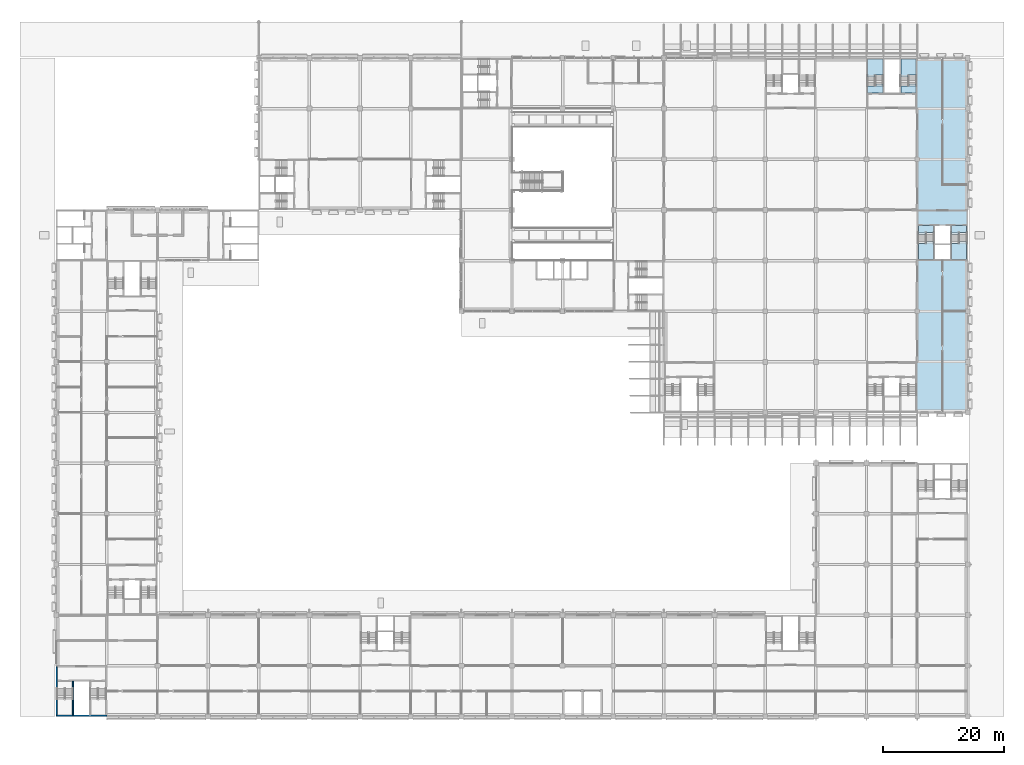
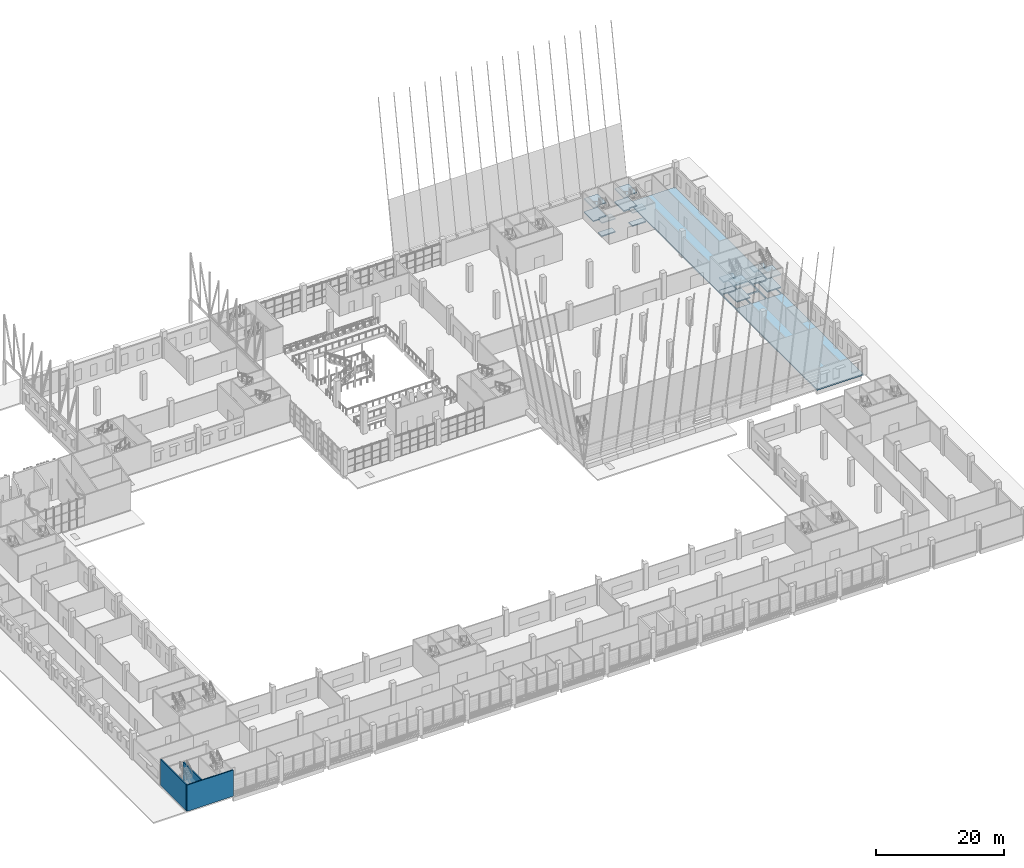
# One storey, part 27 of 101: 17 slabs, 3 walls, 4 elements without a shape of their own.
"""IFC4 building model written with IfcOpenShell, lengths in metres."""

import ifcopenshell
import ifcopenshell.guid

model = None  # the IFC model being written
_history = None  # IfcOwnerHistory: only IFC2X3 demands one
_inside = {}  # id of a spatial element -> (the spatial element, [elements in it])
_under = {}  # id of a project, library or spatial element -> (it, [spatial elements below it])
_declared = {}  # id of a project -> (the project, [libraries it declares])
_typed = {}  # id of a type object -> (the type object, [elements of that type])
_made_of = {}  # id of a material, layer set ... -> (it, [elements and type objects made of it])


def new_model(schema):
    """Start an empty IFC model of exactly this schema.

    Asked for "IFC4X3", IfcOpenShell would pick the latest addendum, in which some entities
    have other attributes; the version numbers below select the first issue.
    IFC2X3 requires an IfcOwnerHistory on every rooted entity: one is made here for all.
    """
    global model, _history
    if schema == "IFC4X3":
        model = ifcopenshell.file(schema_version=(4, 3, 0, 0))
    else:
        model = ifcopenshell.file(schema=schema)
    _inside.clear()
    _under.clear()
    _declared.clear()
    _typed.clear()
    _made_of.clear()
    _history = None
    if model.schema == "IFC2X3":
        org = make("IfcOrganization", Name="unknown")
        user = make(
            "IfcPersonAndOrganization",
            ThePerson=make("IfcPerson", FamilyName="unknown"),
            TheOrganization=org,
        )
        app = make(
            "IfcApplication",
            ApplicationDeveloper=org,
            Version="unknown",
            ApplicationFullName="unknown",
            ApplicationIdentifier="unknown",
        )
        _history = make(
            "IfcOwnerHistory",
            OwningUser=user,
            OwningApplication=app,
            ChangeAction="ADDED",
            CreationDate=0,
        )
    return model


def make(cls, **values):
    """One entity of the class cls with the attributes given. An attribute that is None is left unset."""
    return model.create_entity(
        cls, **{name: value for name, value in values.items() if value is not None}
    )


def rooted(cls, **values):
    """An entity with a GlobalId (a new one), such as an element, a storey or a relation."""
    return make(cls, GlobalId=ifcopenshell.guid.new(), OwnerHistory=_history, **values)


def si_unit(unit_type, name, prefix=None):
    """IfcSIUnit, for example si_unit("LENGTHUNIT", "METRE", prefix="MILLI")."""
    return make("IfcSIUnit", UnitType=unit_type, Prefix=prefix, Name=name)


def assignment(units):
    """IfcUnitAssignment: the units of a project."""
    return None if units is None else make("IfcUnitAssignment", Units=units)


def point(xyz):
    """IfcCartesianPoint."""
    return None if xyz is None else make("IfcCartesianPoint", Coordinates=xyz)


def direction(xyz):
    """IfcDirection."""
    return None if xyz is None else make("IfcDirection", DirectionRatios=xyz)


def frame(location, z_axis=None, x_axis=None):
    """IfcAxis2Placement3D, a coordinate frame: its origin and axes. An axis left out is left unset."""
    return make(
        "IfcAxis2Placement3D",
        Location=point(location),
        Axis=direction(z_axis),
        RefDirection=direction(x_axis),
    )


def frame_2d(location, x_axis=None):
    """IfcAxis2Placement2D, a coordinate frame in the plane: its origin and x axis."""
    return make(
        "IfcAxis2Placement2D", Location=point(location), RefDirection=direction(x_axis)
    )


def origin():
    """The frame at (0, 0, 0) with its axes left unset."""
    return frame((0.0, 0.0, 0.0))


def place(relative_to, where):
    """IfcLocalPlacement: puts the frame where relative to a parent placement (None: the world)."""
    return make(
        "IfcLocalPlacement", PlacementRelTo=relative_to, RelativePlacement=where
    )


def context(
    kind, dimensions, precision=None, world=None, true_north=None, identifier=None
):
    """IfcGeometricRepresentationContext, for example the 3D "Model" context."""
    return make(
        "IfcGeometricRepresentationContext",
        ContextIdentifier=identifier,
        ContextType=kind,
        CoordinateSpaceDimension=dimensions,
        Precision=precision,
        WorldCoordinateSystem=world,
        TrueNorth=true_north,
    )


def subcontext(parent, identifier, kind, view, scale=None):
    """IfcGeometricRepresentationSubContext, for example "Body" below "Model"."""
    return make(
        "IfcGeometricRepresentationSubContext",
        ContextIdentifier=identifier,
        ContextType=kind,
        ParentContext=parent,
        TargetScale=scale,
        TargetView=view,
    )


def project(units=None, contexts=None):
    """IfcProject with its units and contexts."""
    return rooted(
        "IfcProject",
        Name="project",
        RepresentationContexts=contexts,
        UnitsInContext=assignment(units),
    )


def spatial(cls, under=None, at=None, **own):
    """A site, building, storey or space (cls), placed at a placement, below another one or the project."""
    s = rooted(cls, ObjectPlacement=at, **own)
    if under is not None:
        _under.setdefault(under.id(), (under, []))[1].append(s)
    return s


def polyline(points):
    """IfcPolyline through the points."""
    return make("IfcPolyline", Points=[point(p) for p in points])


def profile(cls, at=None, kind="AREA", **sizes):
    """A parametric profile (cls). Its sizes go by their IFC names, for example OverallWidth=200.0."""
    return make(cls, ProfileType=kind, Position=at, **sizes)


def rectangle(**sizes):
    """IfcRectangleProfileDef."""
    return profile("IfcRectangleProfileDef", **sizes)


def outline(outer, holes=None, kind="AREA"):
    """IfcArbitraryClosedProfileDef: a profile drawn as a closed curve; with holes, ...WithVoids."""
    if holes is None:
        return make("IfcArbitraryClosedProfileDef", ProfileType=kind, OuterCurve=outer)
    return make(
        "IfcArbitraryProfileDefWithVoids",
        ProfileType=kind,
        OuterCurve=outer,
        InnerCurves=holes,
    )


def extrude(swept, where, along, depth):
    """IfcExtrudedAreaSolid: the profile swept, set in the frame where, extruded along a direction by depth."""
    return make(
        "IfcExtrudedAreaSolid",
        SweptArea=swept,
        Position=where,
        ExtrudedDirection=direction(along),
        Depth=depth,
    )


def shape(context_of_items, identifier, shape_type, items):
    """IfcShapeRepresentation: the items that make up one representation, for example the "Body"."""
    return make(
        "IfcShapeRepresentation",
        ContextOfItems=context_of_items,
        RepresentationIdentifier=identifier,
        RepresentationType=shape_type,
        Items=items,
    )


def material(Name=None, Category=None):
    """IfcMaterial."""
    return make("IfcMaterial", Name=Name, Category=Category)


def layer(
    of_material, thickness, ventilated=None, Name=None, Category=None, Priority=None
):
    """IfcMaterialLayer: one layer of a wall or slab, of a material (None: an air gap)."""
    return make(
        "IfcMaterialLayer",
        Material=of_material,
        LayerThickness=thickness,
        IsVentilated=ventilated,
        Name=Name,
        Category=Category,
        Priority=Priority,
    )


def layer_set(layers, Name=None):
    """IfcMaterialLayerSet."""
    return make("IfcMaterialLayerSet", MaterialLayers=layers, LayerSetName=Name)


def made_of(thing, what):
    """Note that an element or type object is made of a material, layer set ...; save() writes the relation."""
    if what is not None:
        _made_of.setdefault(what.id(), (what, []))[1].append(thing)
    return thing


def type_object(cls, material=None, **own):
    """A type object (cls), such as IfcWallType, which elements share."""
    return made_of(rooted(cls, **own), material)


def element(
    cls,
    number,
    at=None,
    inside=None,
    cuts=None,
    type_object=None,
    material=None,
    context=None,
    identifier="Body",
    shape_type=None,
    held_by="IfcProductDefinitionShape",
    body=None,
    shapes=None,
    **own,
):
    """One element of the class cls, such as IfcWall. Its Tag is "e" and its number.

    at: its placement. inside: the storey or other place that contains it. cuts: it is an
    opening in that element (IfcRelVoidsElement). A single representation is given by context,
    identifier, shape_type and body (its items); several are given by shapes. held_by: the class
    of the entity that holds the representations. save() writes the other relations.
    """
    e = rooted(cls, Tag="e%d" % number, ObjectPlacement=at, **own)
    if body is not None:
        shapes = [shape(context, identifier, shape_type, body)]
    if shapes is not None:
        e.Representation = make(held_by, Representations=shapes)
    if inside is not None:
        _inside.setdefault(inside.id(), (inside, []))[1].append(e)
    if cuts is not None:
        rooted(
            "IfcRelVoidsElement", RelatingBuildingElement=cuts, RelatedOpeningElement=e
        )
    if type_object is not None:
        _typed.setdefault(type_object.id(), (type_object, []))[1].append(e)
    return made_of(e, material)


def aggregate(whole, parts):
    """IfcRelAggregates: a whole, such as a stair, and the parts it consists of."""
    return rooted("IfcRelAggregates", RelatingObject=whole, RelatedObjects=parts)


def save(model, path):
    """Write the relations noted so far, then the file.

    IfcRelAggregates (storeys below a building ...), IfcRelContainedInSpatialStructure (elements
    in a storey), IfcRelDefinesByType, IfcRelAssociatesMaterial and IfcRelDeclares: one each for
    every whole, place, type object, material and project.
    """
    for whole, parts in _under.values():
        aggregate(whole, parts)
    for where, things in _inside.values():
        rooted(
            "IfcRelContainedInSpatialStructure",
            RelatedElements=things,
            RelatingStructure=where,
        )
    for kind, things in _typed.values():
        rooted("IfcRelDefinesByType", RelatedObjects=things, RelatingType=kind)
    for what, things in _made_of.values():
        rooted("IfcRelAssociatesMaterial", RelatedObjects=things, RelatingMaterial=what)
    for by, libraries in _declared.values():
        rooted("IfcRelDeclares", RelatingContext=by, RelatedDefinitions=libraries)
    model.write(path)


model = new_model("IFC4")

# Units and contexts
model_context = context("Model", 3, precision=1e-05, world=origin(), true_north=direction((0.0, 1.0)))
body_context = subcontext(model_context, "Body", "Model", "MODEL_VIEW")
ifc_project = project(units=[si_unit("LENGTHUNIT", "METRE"), si_unit("AREAUNIT", "SQUARE_METRE"), si_unit("VOLUMEUNIT", "CUBIC_METRE"), si_unit("PLANEANGLEUNIT", "RADIAN"), si_unit("MASSUNIT", "GRAM", prefix="KILO")], contexts=[model_context])

# Site, building, storey
site_placement = place(None, origin())
site = spatial("IfcSite", under=ifc_project, at=site_placement, CompositionType="ELEMENT")
building_placement = place(site_placement, origin())
building = spatial("IfcBuilding", under=site, at=building_placement, Name="Almond Square Museum", CompositionType="ELEMENT")
storey_placement = place(building_placement, frame((0.0, 0.0, 5.5)))
storey = spatial("IfcBuildingStorey", under=building, at=storey_placement, Name="L01", CompositionType="ELEMENT", Elevation=5.5)

# Stair, slabs
ifc_material_1 = material(Name="Concrete C40/50", Category="concrete")
stair_type = type_object("IfcStairType", Name="Exit stair 28 risers of 179 mm", PredefinedType="HALF_TURN_STAIR", material=ifc_material_1)
stair_1_placement = place(storey_placement, origin())
stair_1 = element("IfcStair", 1, at=stair_1_placement, inside=storey, type_object=stair_type, Name="L01 stair H3-1", PredefinedType="HALF_TURN_STAIR")
ifc_material_2 = material(Name="Concrete C40/50", Category="concrete")
ifc_layer_1 = layer(ifc_material_2, 0.199951171875)
ifc_layer_set_1 = layer_set([ifc_layer_1], Name="Concrete C40/50")
slab_type_1 = type_object("IfcSlabType", Name="Concrete stair landing 200", PredefinedType="LANDING", material=ifc_layer_set_1)
slab_1_placement = place(storey_placement, frame((0.0, 0.0, 1.050048828125)))
slab_1 = element("IfcSlab", 2, at=slab_1_placement, type_object=slab_type_1, Name="ST-05 landing 1", PredefinedType="LANDING", context=body_context, shape_type="SweptSolid", body=[
    extrude(outline(polyline([(143.10009765625, 106.346923828125), (143.10009765625, 109.0), (140.60009765625, 109.0), (140.60009765625, 106.050048828125), (141.75, 106.050048828125), (141.75, 106.346923828125), (143.10009765625, 106.346923828125)])), origin(), (0.0, 0.0, 1.0), 0.199951171875),
])
slab_2_placement = place(storey_placement, frame((0.0, 0.0, 2.300048828125)))
slab_2 = element("IfcSlab", 3, at=slab_2_placement, type_object=slab_type_1, Name="ST-05 landing 2", PredefinedType="LANDING", context=body_context, shape_type="SweptSolid", body=[
    extrude(outline(polyline([(143.10009765625, 103.39990234375), (143.10009765625, 104.550048828125), (143.10009765625, 104.85009765625), (141.949951171875, 104.85009765625), (141.949951171875, 104.552978515625), (140.60009765625, 104.552978515625), (140.60009765625, 103.39990234375), (143.10009765625, 103.39990234375)])), origin(), (0.0, 0.0, 1.0), 0.199951171875),
])
slab_3_placement = place(storey_placement, frame((0.0, 0.0, 3.550048828125)))
slab_3 = element("IfcSlab", 4, at=slab_3_placement, type_object=slab_type_1, Name="ST-05 landing 3", PredefinedType="LANDING", context=body_context, shape_type="SweptSolid", body=[
    extrude(outline(polyline([(143.10009765625, 106.346923828125), (143.10009765625, 109.0), (140.60009765625, 109.0), (140.60009765625, 106.050048828125), (141.75, 106.050048828125), (141.75, 106.346923828125), (143.10009765625, 106.346923828125)])), origin(), (0.0, 0.0, 1.0), 0.199951171875),
])
aggregate(stair_1, [slab_1, slab_2, slab_3])

stair_2_placement = place(storey_placement, origin())
stair_2 = element("IfcStair", 5, at=stair_2_placement, inside=storey, type_object=stair_type, Name="L01 stair H3-2", PredefinedType="HALF_TURN_STAIR")
slab_4_placement = place(storey_placement, frame((0.0, 0.0, 1.050048828125)))
slab_4 = element("IfcSlab", 6, at=slab_4_placement, type_object=slab_type_1, Name="ST-06 landing 1", PredefinedType="LANDING", context=body_context, shape_type="SweptSolid", body=[
    extrude(outline(polyline([(148.60009765625, 106.346923828125), (148.60009765625, 109.0), (146.10009765625, 109.0), (146.10009765625, 106.050048828125), (147.25, 106.050048828125), (147.25, 106.346923828125), (148.60009765625, 106.346923828125)])), origin(), (0.0, 0.0, 1.0), 0.199951171875),
])
slab_5_placement = place(storey_placement, frame((0.0, 0.0, 2.300048828125)))
slab_5 = element("IfcSlab", 7, at=slab_5_placement, type_object=slab_type_1, Name="ST-06 landing 2", PredefinedType="LANDING", context=body_context, shape_type="SweptSolid", body=[
    extrude(outline(polyline([(148.60009765625, 103.39990234375), (148.60009765625, 104.550048828125), (148.60009765625, 104.85009765625), (147.449951171875, 104.85009765625), (147.449951171875, 104.552978515625), (146.10009765625, 104.552978515625), (146.10009765625, 103.39990234375), (148.60009765625, 103.39990234375)])), origin(), (0.0, 0.0, 1.0), 0.199951171875),
])
slab_6_placement = place(storey_placement, frame((0.0, 0.0, 3.550048828125)))
slab_6 = element("IfcSlab", 8, at=slab_6_placement, type_object=slab_type_1, Name="ST-06 landing 3", PredefinedType="LANDING", context=body_context, shape_type="SweptSolid", body=[
    extrude(outline(polyline([(148.60009765625, 106.346923828125), (148.60009765625, 109.0), (146.10009765625, 109.0), (146.10009765625, 106.050048828125), (147.25, 106.050048828125), (147.25, 106.346923828125), (148.60009765625, 106.346923828125)])), origin(), (0.0, 0.0, 1.0), 0.199951171875),
])
aggregate(stair_2, [slab_4, slab_5, slab_6])

stair_3_placement = place(storey_placement, origin())
stair_3 = element("IfcStair", 9, at=stair_3_placement, inside=storey, type_object=stair_type, Name="L01 stair E1-1", PredefinedType="HALF_TURN_STAIR")
slab_7_placement = place(storey_placement, frame((0.0, 0.0, 1.050048828125)))
slab_7 = element("IfcSlab", 10, at=slab_7_placement, type_object=slab_type_1, Name="ST-25 landing 1", PredefinedType="LANDING", context=body_context, shape_type="SweptSolid", body=[
    extrude(outline(polyline([(149.0, 78.452880859375), (149.0, 75.800048828125), (151.5, 75.800048828125), (151.5, 78.75), (150.35009765625, 78.75), (150.35009765625, 78.452880859375), (149.0, 78.452880859375)])), origin(), (0.0, 0.0, 1.0), 0.199951171875),
])
slab_8_placement = place(storey_placement, frame((0.0, 0.0, 2.300048828125)))
slab_8 = element("IfcSlab", 11, at=slab_8_placement, type_object=slab_type_1, Name="ST-25 landing 2", PredefinedType="LANDING", context=body_context, shape_type="SweptSolid", body=[
    extrude(outline(polyline([(149.0, 81.39990234375), (149.0, 80.25), (149.0, 79.949951171875), (150.14990234375, 79.949951171875), (150.14990234375, 80.2470703125), (151.5, 80.2470703125), (151.5, 81.39990234375), (149.0, 81.39990234375)])), origin(), (0.0, 0.0, 1.0), 0.199951171875),
])
slab_9_placement = place(storey_placement, frame((0.0, 0.0, 3.550048828125)))
slab_9 = element("IfcSlab", 12, at=slab_9_placement, type_object=slab_type_1, Name="ST-25 landing 3", PredefinedType="LANDING", context=body_context, shape_type="SweptSolid", body=[
    extrude(outline(polyline([(149.0, 78.452880859375), (149.0, 75.800048828125), (151.5, 75.800048828125), (151.5, 78.75), (150.35009765625, 78.75), (150.35009765625, 78.452880859375), (149.0, 78.452880859375)])), origin(), (0.0, 0.0, 1.0), 0.199951171875),
])
aggregate(stair_3, [slab_7, slab_8, slab_9])

stair_4_placement = place(storey_placement, origin())
stair_4 = element("IfcStair", 13, at=stair_4_placement, inside=storey, type_object=stair_type, Name="L01 stair E1-2", PredefinedType="HALF_TURN_STAIR")
slab_10_placement = place(storey_placement, frame((0.0, 0.0, 1.050048828125)))
slab_10 = element("IfcSlab", 14, at=slab_10_placement, type_object=slab_type_1, Name="ST-26 landing 1", PredefinedType="LANDING", context=body_context, shape_type="SweptSolid", body=[
    extrude(outline(polyline([(154.5, 78.452880859375), (154.5, 75.800048828125), (157.0, 75.800048828125), (157.0, 78.75), (155.85009765625, 78.75), (155.85009765625, 78.452880859375), (154.5, 78.452880859375)])), origin(), (0.0, 0.0, 1.0), 0.199951171875),
])
slab_11_placement = place(storey_placement, frame((0.0, 0.0, 2.300048828125)))
slab_11 = element("IfcSlab", 15, at=slab_11_placement, type_object=slab_type_1, Name="ST-26 landing 2", PredefinedType="LANDING", context=body_context, shape_type="SweptSolid", body=[
    extrude(outline(polyline([(154.5, 81.39990234375), (154.5, 80.25), (154.5, 79.949951171875), (155.64990234375, 79.949951171875), (155.64990234375, 80.2470703125), (157.0, 80.2470703125), (157.0, 81.39990234375), (154.5, 81.39990234375)])), origin(), (0.0, 0.0, 1.0), 0.199951171875),
])
slab_12_placement = place(storey_placement, frame((0.0, 0.0, 3.550048828125)))
slab_12 = element("IfcSlab", 16, at=slab_12_placement, type_object=slab_type_1, Name="ST-26 landing 3", PredefinedType="LANDING", context=body_context, shape_type="SweptSolid", body=[
    extrude(outline(polyline([(154.5, 78.452880859375), (154.5, 75.800048828125), (157.0, 75.800048828125), (157.0, 78.75), (155.85009765625, 78.75), (155.85009765625, 78.452880859375), (154.5, 78.452880859375)])), origin(), (0.0, 0.0, 1.0), 0.199951171875),
])
aggregate(stair_4, [slab_10, slab_11, slab_12])

# Slabs
slab_13_placement = place(storey_placement, frame((0.0, 0.0, -0.199951171875)))
element("IfcSlab", 17, at=slab_13_placement, inside=storey, type_object=slab_type_1, Name="L01 stair H3-1 floor landing", PredefinedType="LANDING", context=body_context, shape_type="SweptSolid", body=[
    extrude(outline(polyline([(140.60009765625, 103.39990234375), (143.10009765625, 103.39990234375), (143.10009765625, 104.552978515625), (140.60009765625, 104.552978515625), (140.60009765625, 103.39990234375)])), origin(), (0.0, 0.0, 1.0), 0.199951171875),
])
slab_14_placement = place(storey_placement, frame((0.0, 0.0, -0.199951171875)))
element("IfcSlab", 18, at=slab_14_placement, inside=storey, type_object=slab_type_1, Name="L01 stair H3-2 floor landing", PredefinedType="LANDING", context=body_context, shape_type="SweptSolid", body=[
    extrude(outline(polyline([(146.10009765625, 103.39990234375), (148.60009765625, 103.39990234375), (148.60009765625, 104.552978515625), (146.10009765625, 104.552978515625), (146.10009765625, 103.39990234375)])), origin(), (0.0, 0.0, 1.0), 0.199951171875),
])
slab_15_placement = place(storey_placement, frame((0.0, 0.0, -0.199951171875)))
element("IfcSlab", 19, at=slab_15_placement, inside=storey, type_object=slab_type_1, Name="L01 stair E1-1 floor landing", PredefinedType="LANDING", context=body_context, shape_type="SweptSolid", body=[
    extrude(outline(polyline([(149.0, 80.2470703125), (151.5, 80.2470703125), (151.5, 81.39990234375), (149.0, 81.39990234375), (149.0, 80.2470703125)])), origin(), (0.0, 0.0, 1.0), 0.199951171875),
])
slab_16_placement = place(storey_placement, frame((0.0, 0.0, -0.199951171875)))
element("IfcSlab", 20, at=slab_16_placement, inside=storey, type_object=slab_type_1, Name="L01 stair E1-2 floor landing", PredefinedType="LANDING", context=body_context, shape_type="SweptSolid", body=[
    extrude(outline(polyline([(154.5, 80.2470703125), (157.0, 80.2470703125), (157.0, 81.39990234375), (154.5, 81.39990234375), (154.5, 80.2470703125)])), origin(), (0.0, 0.0, 1.0), 0.199951171875),
])
ifc_material_3 = material(Name="Concrete C40/50", Category="concrete")
ifc_layer_2 = layer(ifc_material_3, 0.25)
ifc_layer_set_2 = layer_set([ifc_layer_2], Name="Concrete C40/50")
slab_type_2 = type_object("IfcSlabType", Name="RC floor slab 250 C40/50", PredefinedType="FLOOR", material=ifc_layer_set_2)
slab_17_placement = place(storey_placement, frame((0.0, 0.0, -0.25)))
element("IfcSlab", 21, at=slab_17_placement, inside=storey, type_object=slab_type_2, Name="Floor slab L01 V4E", PredefinedType="FLOOR", context=body_context, shape_type="SweptSolid", body=[
    extrude(outline(polyline([(157.199951171875, 109.199951171875), (157.199951171875, 50.39990234375), (148.800048828125, 50.39990234375), (148.800048828125, 109.199951171875), (157.199951171875, 109.199951171875)]), holes=[polyline([(151.699951171875, 75.800048828125), (154.300048828125, 75.800048828125), (154.300048828125, 78.199951171875), (151.699951171875, 78.199951171875), (151.699951171875, 75.800048828125)]), polyline([(154.5, 75.800048828125), (157.0, 75.800048828125), (157.0, 81.39990234375), (154.5, 81.39990234375), (154.5, 75.800048828125)]), polyline([(149.0, 75.800048828125), (151.5, 75.800048828125), (151.5, 81.39990234375), (149.0, 81.39990234375), (149.0, 75.800048828125)]), polyline([(151.699951171875, 78.39990234375), (154.300048828125, 78.39990234375), (154.300048828125, 81.39990234375), (151.699951171875, 81.39990234375), (151.699951171875, 78.39990234375)])]), origin(), (0.0, 0.0, 1.0), 0.25),
])

# Walls
ifc_material_4 = material(Name="Concrete C40/50", Category="concrete")
ifc_layer_3 = layer(ifc_material_4, 0.199951171875)
ifc_layer_set_3 = layer_set([ifc_layer_3], Name="Concrete C40/50")
wall_type = type_object("IfcWallType", Name="RC shear wall 200 C40/50", PredefinedType="SHEAR", material=ifc_layer_set_3)
wall_1_placement = place(storey_placement, frame((6.0, 0.10009765625, 0.0), z_axis=(0.0, 0.0, 1.0), x_axis=(1.0, 0.0, 0.0)))
element("IfcWall", 22, at=wall_1_placement, inside=storey, type_object=wall_type, Name="Core S1 south wall L01", PredefinedType="SHEAR", context=body_context, shape_type="SweptSolid", body=[
    extrude(rectangle(XDim=8.39990234375, YDim=0.199951171875, at=frame_2d((4.199951171875, 0.0))), origin(), (0.0, 0.0, 1.0), 5.0),
])
wall_2_placement = place(storey_placement, frame((6.10009765625, 0.199951171875, 0.0), z_axis=(0.0, 0.0, 1.0), x_axis=(0.0, 1.0, 0.0)))
element("IfcWall", 23, at=wall_2_placement, inside=storey, type_object=wall_type, Name="Core S1 west wall L01", PredefinedType="SHEAR", context=body_context, shape_type="SweptSolid", body=[
    extrude(rectangle(XDim=8.0, YDim=0.199951171875, at=frame_2d((4.0, 0.0))), origin(), (0.0, 0.0, 1.0), 5.0),
])
wall_3_placement = place(storey_placement, frame((8.800048828125, 0.199951171875, 0.0), z_axis=(0.0, 0.0, 1.0), x_axis=(0.0, 1.0, 0.0)))
element("IfcWall", 24, at=wall_3_placement, inside=storey, type_object=wall_type, Name="Core S1 partition wall L01", PredefinedType="SHEAR", context=body_context, shape_type="SweptSolid", body=[
    extrude(rectangle(XDim=5.60009765625, YDim=0.199951171875, at=frame_2d((2.800048828125, 0.0))), origin(), (0.0, 0.0, 1.0), 5.0),
])

save(model, "model.ifc")
